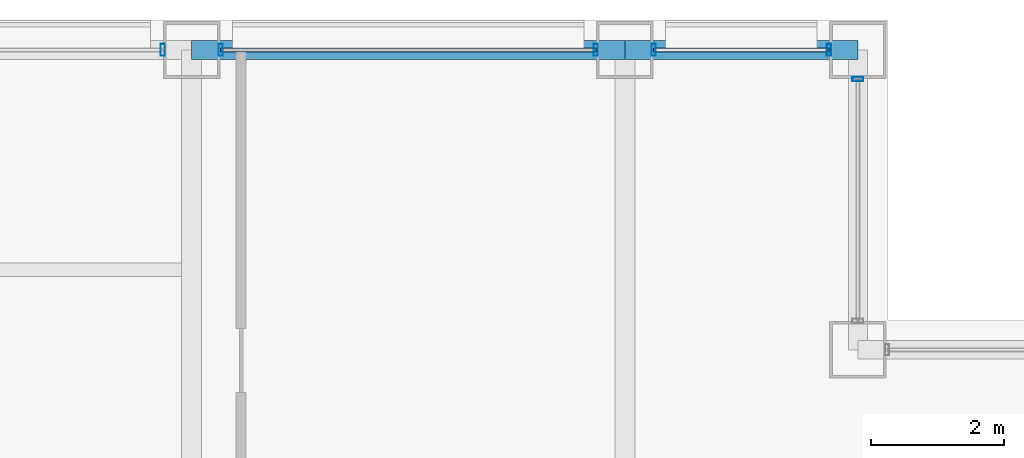
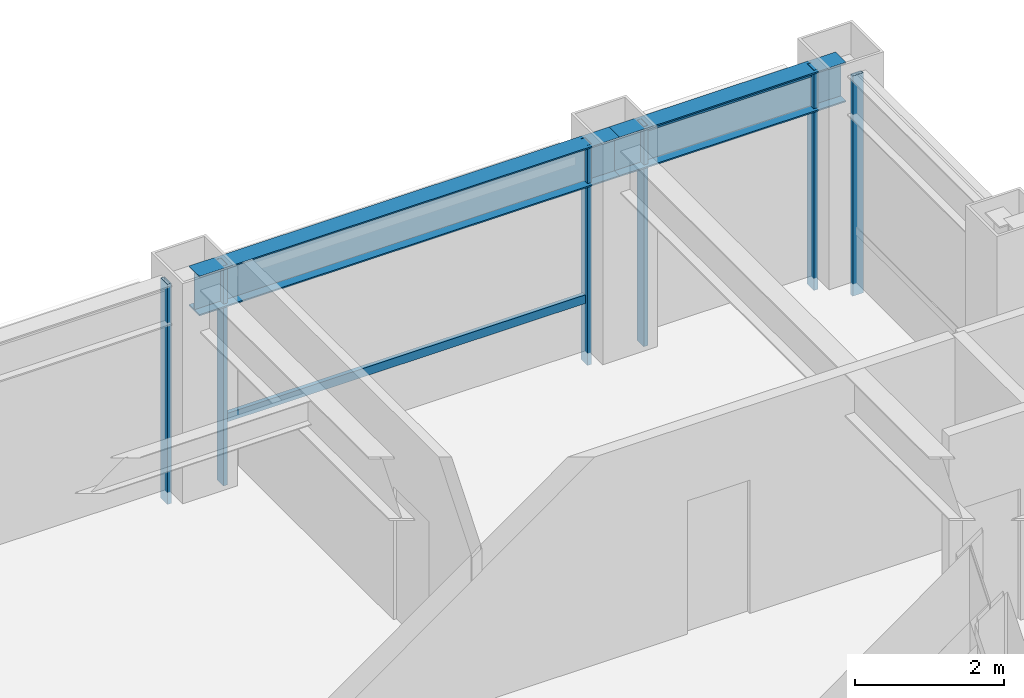
# One storey, part 22 of 30: 8 members, 2 beams, 4 elements without a shape of their own.
"""IFC4 building model written with IfcOpenShell, lengths in metres."""

from ifc_helpers import new_model, si_unit, direction, frame, origin, origin_2d, place, context, subcontext, project, spatial, hollow_rectangle, i_section, extrude, material, layer, layer_set, material_profile, profile_set, type_object, element, aggregate, save


model = new_model("IFC4")

# Units and contexts
model_context = context("Model", 3, precision=1e-05, world=origin(), true_north=direction((0.0, 1.0)))
body_context = subcontext(model_context, "Body", "Model", "MODEL_VIEW")
ifc_project = project(units=[si_unit("LENGTHUNIT", "METRE"), si_unit("AREAUNIT", "SQUARE_METRE"), si_unit("VOLUMEUNIT", "CUBIC_METRE"), si_unit("PLANEANGLEUNIT", "RADIAN"), si_unit("MASSUNIT", "GRAM", prefix="KILO")], contexts=[model_context])

# Site, building, storey
site_placement = place(None, origin())
site = spatial("IfcSite", under=ifc_project, at=site_placement, CompositionType="ELEMENT")
building_placement = place(site_placement, origin())
building = spatial("IfcBuilding", under=site, at=building_placement, Name="Brelmoor Portico Tower", CompositionType="ELEMENT")
storey_placement = place(building_placement, frame((0.0, 0.0, 102.60009765625)))
storey = spatial("IfcBuildingStorey", under=building, at=storey_placement, Name="L26", CompositionType="ELEMENT", Elevation=102.60009765625)

# Beams
ifc_material_1 = material(Name="Steel Q355B", Category="steel")
ifc_material_profile_1 = material_profile(ifc_material_1, i_section(OverallWidth=0.280029296875, OverallDepth=0.64990234375, WebThickness=0.012939453125, FlangeThickness=0.02197265625, at=origin_2d()), Name="HN 650x280x13x22")
ifc_profile_set_1 = profile_set([ifc_material_profile_1], Name="Steel Q355B")
beam_type = type_object("IfcBeamType", Name="BM-SP-650", PredefinedType="SPANDREL", material=ifc_profile_set_1)
beam_1_placement = place(storey_placement, frame((8.050048828125, 19.550048828125, 3.074951171875), z_axis=(1.0, 0.0, 0.0), x_axis=(0.0, 1.0, 0.0)))
element("IfcBeam", 1, at=beam_1_placement, inside=storey, type_object=beam_type, Name="L26 Perimeter Spandrel Beam SP-13", PredefinedType="SPANDREL", context=body_context, shape_type="SweptSolid", body=[
    extrude(i_section(OverallWidth=0.280029296875, OverallDepth=0.64990234375, WebThickness=0.012939453125, FlangeThickness=0.02197265625, at=origin_2d()), origin(), (0.0, 0.0, 1.0), 6.5),
])
beam_2_placement = place(storey_placement, frame((14.550048828125, 19.550048828125, 3.074951171875), z_axis=(1.0, 0.0, 0.0), x_axis=(0.0, 1.0, 0.0)))
element("IfcBeam", 2, at=beam_2_placement, inside=storey, type_object=beam_type, Name="L26 Perimeter Spandrel Beam SP-14", PredefinedType="SPANDREL", context=body_context, shape_type="SweptSolid", body=[
    extrude(i_section(OverallWidth=0.280029296875, OverallDepth=0.64990234375, WebThickness=0.012939453125, FlangeThickness=0.02197265625, at=origin_2d()), origin(), (0.0, 0.0, 1.0), 3.5),
])

# Curtain wall, member
ifc_material_2 = material(Name="Anodised Aluminium Alloy 6063-T6", Category="aluminium")
ifc_layer_1 = layer(ifc_material_2, 0.179931640625)
ifc_layer_set_1 = layer_set([ifc_layer_1], Name="Anodised Aluminium Alloy 6063-T6")
curtain_wall_type_1 = type_object("IfcCurtainWallType", Name="CW-NOTCH-CHAMFER", PredefinedType="NOTDEFINED", material=ifc_layer_set_1)
curtain_wall_1_placement = place(storey_placement, origin())
curtain_wall_1 = element("IfcCurtainWall", 3, at=curtain_wall_1_placement, inside=storey, type_object=curtain_wall_type_1, Name="L26 Curtain Wall CWN-L26-NEV", PredefinedType="NOTDEFINED")
ifc_material_profile_2 = material_profile(ifc_material_2, hollow_rectangle(XDim=0.06494140625, YDim=0.1650390625, WallThickness=0.00390625, at=origin_2d()), Name="ALU MULLION 65x165")
ifc_profile_set_2 = profile_set([ifc_material_profile_2], Name="Anodised Aluminium Alloy 6063-T6")
member_type_1 = type_object("IfcMemberType", Name="MB-CW-MULL-165", PredefinedType="MULLION", material=ifc_profile_set_2)
member_1_placement = place(storey_placement, frame((18.050048828125, 19.114990234375, -0.2001953125), z_axis=(0.0, 0.0, 1.0), x_axis=(0.0, 1.0, 0.0)))
member_1 = element("IfcMember", 4, at=member_1_placement, type_object=member_type_1, Name="CWN-L26-NEV Mullion 01", PredefinedType="MULLION", context=body_context, shape_type="SweptSolid", body=[
    extrude(hollow_rectangle(XDim=0.06494140625, YDim=0.1650390625, WallThickness=0.00390625, at=origin_2d()), origin(), (0.0, 0.0, 1.0), 3.60009765625),
])
aggregate(curtain_wall_1, [member_1])

ifc_layer_2 = layer(ifc_material_2, 0.179931640625)
ifc_layer_set_2 = layer_set([ifc_layer_2], Name="Anodised Aluminium Alloy 6063-T6")
curtain_wall_type_2 = type_object("IfcCurtainWallType", Name="CW-TOWER-Z2-XB", PredefinedType="NOTDEFINED", material=ifc_layer_set_2)
curtain_wall_2_placement = place(storey_placement, origin())
curtain_wall_2 = element("IfcCurtainWall", 5, at=curtain_wall_2_placement, inside=storey, type_object=curtain_wall_type_2, Name="L26 Curtain Wall CW-L26-02-3", PredefinedType="NOTDEFINED")
ifc_material_profile_3 = material_profile(ifc_material_2, hollow_rectangle(XDim=0.06494140625, YDim=0.179931640625, WallThickness=0.00390625, at=origin_2d()), Name="ALU MULLION 65x180")
ifc_profile_set_3 = profile_set([ifc_material_profile_3], Name="Anodised Aluminium Alloy 6063-T6")
member_type_2 = type_object("IfcMemberType", Name="MB-CW-MULL-180", PredefinedType="MULLION", material=ifc_profile_set_3)
member_2_placement = place(storey_placement, frame((7.614990234375, 19.550048828125, -0.2001953125), z_axis=(0.0, 0.0, 1.0), x_axis=(1.0, 0.0, 0.0)))
member_2 = element("IfcMember", 6, at=member_2_placement, type_object=member_type_2, Name="CW-L26-02-3 Mullion 01", PredefinedType="MULLION", context=body_context, shape_type="SweptSolid", body=[
    extrude(hollow_rectangle(XDim=0.06494140625, YDim=0.179931640625, WallThickness=0.00390625, at=origin_2d()), origin(), (0.0, 0.0, 1.0), 3.60009765625),
])
aggregate(curtain_wall_2, [member_2])

# Curtain wall, members
ifc_layer_3 = layer(ifc_material_2, 0.179931640625)
ifc_layer_set_3 = layer_set([ifc_layer_3], Name="Anodised Aluminium Alloy 6063-T6")
curtain_wall_type_3 = type_object("IfcCurtainWallType", Name="CW-TOWER-Z2", PredefinedType="NOTDEFINED", material=ifc_layer_set_3)
curtain_wall_3_placement = place(storey_placement, origin())
curtain_wall_3 = element("IfcCurtainWall", 7, at=curtain_wall_3_placement, inside=storey, type_object=curtain_wall_type_3, Name="L26 Curtain Wall CW-L26-02-4", PredefinedType="NOTDEFINED")
member_3_placement = place(storey_placement, frame((8.485107421875, 19.550048828125, -0.2001953125), z_axis=(0.0, 0.0, 1.0), x_axis=(1.0, 0.0, 0.0)))
member_3 = element("IfcMember", 8, at=member_3_placement, type_object=member_type_2, Name="CW-L26-02-4 Mullion 00", PredefinedType="MULLION", context=body_context, shape_type="SweptSolid", body=[
    extrude(hollow_rectangle(XDim=0.06494140625, YDim=0.179931640625, WallThickness=0.00390625, at=origin_2d()), origin(), (0.0, 0.0, 1.0), 3.60009765625),
])
member_4_placement = place(storey_placement, frame((14.114990234375, 19.550048828125, -0.2001953125), z_axis=(0.0, 0.0, 1.0), x_axis=(1.0, 0.0, 0.0)))
member_4 = element("IfcMember", 9, at=member_4_placement, type_object=member_type_2, Name="CW-L26-02-4 Mullion 01", PredefinedType="MULLION", context=body_context, shape_type="SweptSolid", body=[
    extrude(hollow_rectangle(XDim=0.06494140625, YDim=0.179931640625, WallThickness=0.00390625, at=origin_2d()), origin(), (0.0, 0.0, 1.0), 3.60009765625),
])

curtain_wall_4_placement = place(storey_placement, origin())
curtain_wall_4 = element("IfcCurtainWall", 10, at=curtain_wall_4_placement, inside=storey, type_object=curtain_wall_type_2, Name="L26 Curtain Wall CW-L26-02-5", PredefinedType="NOTDEFINED")
member_5_placement = place(storey_placement, frame((14.985107421875, 19.550048828125, -0.2001953125), z_axis=(0.0, 0.0, 1.0), x_axis=(1.0, 0.0, 0.0)))
member_5 = element("IfcMember", 11, at=member_5_placement, type_object=member_type_2, Name="CW-L26-02-5 Mullion 00", PredefinedType="MULLION", context=body_context, shape_type="SweptSolid", body=[
    extrude(hollow_rectangle(XDim=0.06494140625, YDim=0.179931640625, WallThickness=0.00390625, at=origin_2d()), origin(), (0.0, 0.0, 1.0), 3.60009765625),
])
member_6_placement = place(storey_placement, frame((17.614990234375, 19.550048828125, -0.2001953125), z_axis=(0.0, 0.0, 1.0), x_axis=(1.0, 0.0, 0.0)))
member_6 = element("IfcMember", 12, at=member_6_placement, type_object=member_type_2, Name="CW-L26-02-5 Mullion 01", PredefinedType="MULLION", context=body_context, shape_type="SweptSolid", body=[
    extrude(hollow_rectangle(XDim=0.06494140625, YDim=0.179931640625, WallThickness=0.00390625, at=origin_2d()), origin(), (0.0, 0.0, 1.0), 3.60009765625),
])

# Member
ifc_material_profile_4 = material_profile(ifc_material_2, hollow_rectangle(XDim=0.06494140625, YDim=0.139892578125, WallThickness=0.00390625, at=origin_2d()), Name="ALU TRANSOM 65x140")
ifc_profile_set_4 = profile_set([ifc_material_profile_4], Name="Anodised Aluminium Alloy 6063-T6")
member_type_3 = type_object("IfcMemberType", Name="MB-CW-TRAN-140", PredefinedType="USERDEFINED", material=ifc_profile_set_4)
member_7_placement = place(storey_placement, frame((8.485107421875, 19.550048828125, 0.849853515625), z_axis=(1.0, 0.0, 0.0), x_axis=(0.0, 1.0, 0.0)))
member_7 = element("IfcMember", 13, at=member_7_placement, type_object=member_type_3, Name="CW-L26-02-4 Transom 1-00", ObjectType="TRANSOM", PredefinedType="USERDEFINED", context=body_context, shape_type="SweptSolid", body=[
    extrude(hollow_rectangle(XDim=0.06494140625, YDim=0.139892578125, WallThickness=0.00390625, at=origin_2d()), origin(), (0.0, 0.0, 1.0), 5.6298828125),
])

aggregate(curtain_wall_3, [member_3, member_4, member_7])

member_8_placement = place(storey_placement, frame((14.985107421875, 19.550048828125, 3.329833984375), z_axis=(1.0, 0.0, 0.0), x_axis=(0.0, 1.0, 0.0)))
member_8 = element("IfcMember", 14, at=member_8_placement, type_object=member_type_3, Name="CW-L26-02-5 Transom 1-00", ObjectType="TRANSOM", PredefinedType="USERDEFINED", context=body_context, shape_type="SweptSolid", body=[
    extrude(hollow_rectangle(XDim=0.06494140625, YDim=0.139892578125, WallThickness=0.00390625, at=origin_2d()), origin(), (0.0, 0.0, 1.0), 2.6298828125),
])

aggregate(curtain_wall_4, [member_5, member_6, member_8])

save(model, "model.ifc")
